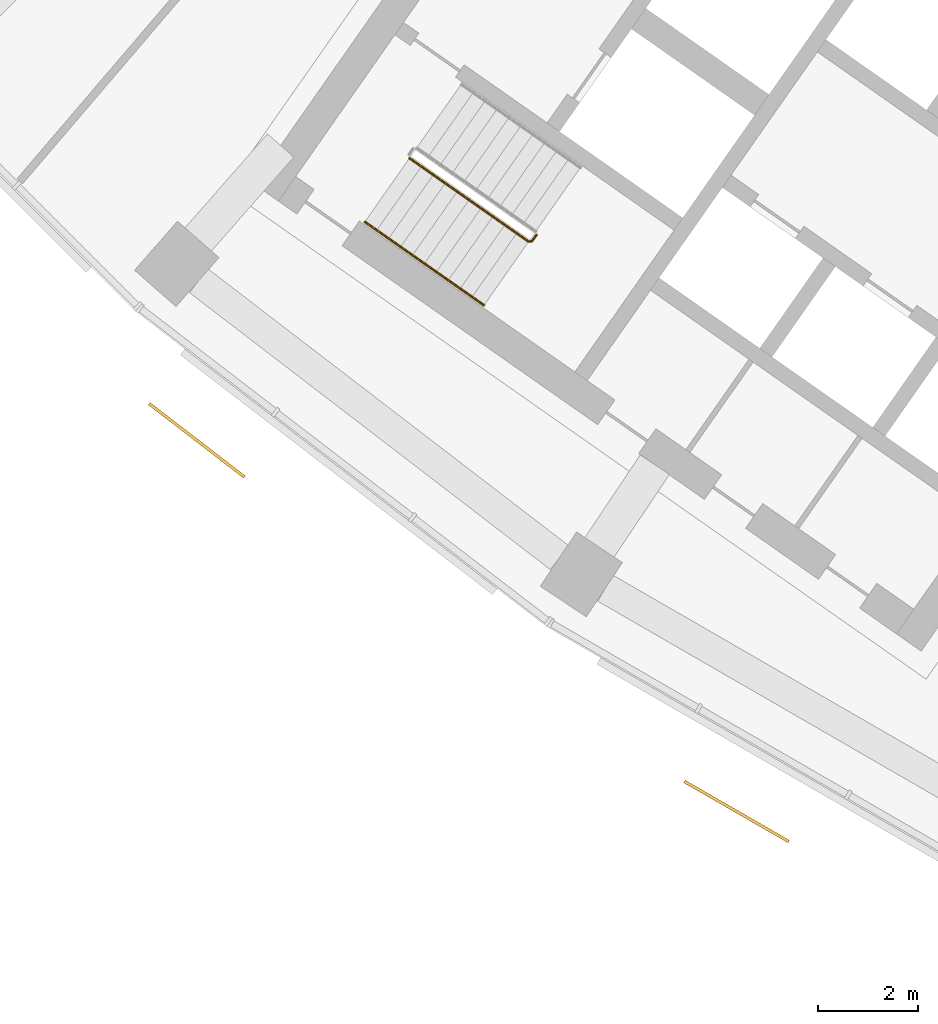
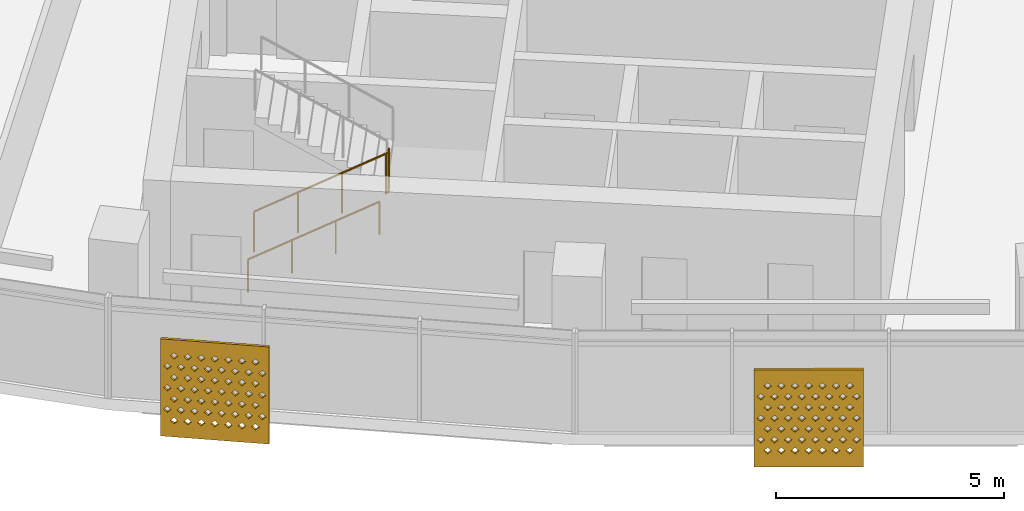
# One storey, part 21 of 27: 2 railings, 2 shading devices.
"""IFC4 building model written with IfcOpenShell, lengths in metres."""

import ifcopenshell
import ifcopenshell.guid

model = None  # the IFC model being written
_history = None  # IfcOwnerHistory: only IFC2X3 demands one
_inside = {}  # id of a spatial element -> (the spatial element, [elements in it])
_under = {}  # id of a project, library or spatial element -> (it, [spatial elements below it])
_declared = {}  # id of a project -> (the project, [libraries it declares])
_typed = {}  # id of a type object -> (the type object, [elements of that type])
_made_of = {}  # id of a material, layer set ... -> (it, [elements and type objects made of it])


def new_model(schema):
    """Start an empty IFC model of exactly this schema.

    Asked for "IFC4X3", IfcOpenShell would pick the latest addendum, in which some entities
    have other attributes; the version numbers below select the first issue.
    IFC2X3 requires an IfcOwnerHistory on every rooted entity: one is made here for all.
    """
    global model, _history
    if schema == "IFC4X3":
        model = ifcopenshell.file(schema_version=(4, 3, 0, 0))
    else:
        model = ifcopenshell.file(schema=schema)
    _inside.clear()
    _under.clear()
    _declared.clear()
    _typed.clear()
    _made_of.clear()
    _history = None
    if model.schema == "IFC2X3":
        org = make("IfcOrganization", Name="unknown")
        user = make(
            "IfcPersonAndOrganization",
            ThePerson=make("IfcPerson", FamilyName="unknown"),
            TheOrganization=org,
        )
        app = make(
            "IfcApplication",
            ApplicationDeveloper=org,
            Version="unknown",
            ApplicationFullName="unknown",
            ApplicationIdentifier="unknown",
        )
        _history = make(
            "IfcOwnerHistory",
            OwningUser=user,
            OwningApplication=app,
            ChangeAction="ADDED",
            CreationDate=0,
        )
    return model


def make(cls, **values):
    """One entity of the class cls with the attributes given. An attribute that is None is left unset."""
    return model.create_entity(
        cls, **{name: value for name, value in values.items() if value is not None}
    )


def rooted(cls, **values):
    """An entity with a GlobalId (a new one), such as an element, a storey or a relation."""
    return make(cls, GlobalId=ifcopenshell.guid.new(), OwnerHistory=_history, **values)


def si_unit(unit_type, name, prefix=None):
    """IfcSIUnit, for example si_unit("LENGTHUNIT", "METRE", prefix="MILLI")."""
    return make("IfcSIUnit", UnitType=unit_type, Prefix=prefix, Name=name)


def assignment(units):
    """IfcUnitAssignment: the units of a project."""
    return None if units is None else make("IfcUnitAssignment", Units=units)


def point(xyz):
    """IfcCartesianPoint."""
    return None if xyz is None else make("IfcCartesianPoint", Coordinates=xyz)


def direction(xyz):
    """IfcDirection."""
    return None if xyz is None else make("IfcDirection", DirectionRatios=xyz)


def frame(location, z_axis=None, x_axis=None):
    """IfcAxis2Placement3D, a coordinate frame: its origin and axes. An axis left out is left unset."""
    return make(
        "IfcAxis2Placement3D",
        Location=point(location),
        Axis=direction(z_axis),
        RefDirection=direction(x_axis),
    )


def frame_2d(location, x_axis=None):
    """IfcAxis2Placement2D, a coordinate frame in the plane: its origin and x axis."""
    return make(
        "IfcAxis2Placement2D", Location=point(location), RefDirection=direction(x_axis)
    )


def origin():
    """The frame at (0, 0, 0) with its axes left unset."""
    return frame((0.0, 0.0, 0.0))


def origin_2d():
    """The frame at (0, 0) in the plane with its x axis left unset."""
    return frame_2d((0.0, 0.0))


def place(relative_to, where):
    """IfcLocalPlacement: puts the frame where relative to a parent placement (None: the world)."""
    return make(
        "IfcLocalPlacement", PlacementRelTo=relative_to, RelativePlacement=where
    )


def context(
    kind, dimensions, precision=None, world=None, true_north=None, identifier=None
):
    """IfcGeometricRepresentationContext, for example the 3D "Model" context."""
    return make(
        "IfcGeometricRepresentationContext",
        ContextIdentifier=identifier,
        ContextType=kind,
        CoordinateSpaceDimension=dimensions,
        Precision=precision,
        WorldCoordinateSystem=world,
        TrueNorth=true_north,
    )


def subcontext(parent, identifier, kind, view, scale=None):
    """IfcGeometricRepresentationSubContext, for example "Body" below "Model"."""
    return make(
        "IfcGeometricRepresentationSubContext",
        ContextIdentifier=identifier,
        ContextType=kind,
        ParentContext=parent,
        TargetScale=scale,
        TargetView=view,
    )


def project(units=None, contexts=None):
    """IfcProject with its units and contexts."""
    return rooted(
        "IfcProject",
        Name="project",
        RepresentationContexts=contexts,
        UnitsInContext=assignment(units),
    )


def spatial(cls, under=None, at=None, **own):
    """A site, building, storey or space (cls), placed at a placement, below another one or the project."""
    s = rooted(cls, ObjectPlacement=at, **own)
    if under is not None:
        _under.setdefault(under.id(), (under, []))[1].append(s)
    return s


def polyline(points):
    """IfcPolyline through the points."""
    return make("IfcPolyline", Points=[point(p) for p in points])


def profile(cls, at=None, kind="AREA", **sizes):
    """A parametric profile (cls). Its sizes go by their IFC names, for example OverallWidth=200.0."""
    return make(cls, ProfileType=kind, Position=at, **sizes)


def circle(**sizes):
    """IfcCircleProfileDef."""
    return profile("IfcCircleProfileDef", **sizes)


def outline(outer, holes=None, kind="AREA"):
    """IfcArbitraryClosedProfileDef: a profile drawn as a closed curve; with holes, ...WithVoids."""
    if holes is None:
        return make("IfcArbitraryClosedProfileDef", ProfileType=kind, OuterCurve=outer)
    return make(
        "IfcArbitraryProfileDefWithVoids",
        ProfileType=kind,
        OuterCurve=outer,
        InnerCurves=holes,
    )


def extrude(swept, where, along, depth):
    """IfcExtrudedAreaSolid: the profile swept, set in the frame where, extruded along a direction by depth."""
    return make(
        "IfcExtrudedAreaSolid",
        SweptArea=swept,
        Position=where,
        ExtrudedDirection=direction(along),
        Depth=depth,
    )


def shape(context_of_items, identifier, shape_type, items):
    """IfcShapeRepresentation: the items that make up one representation, for example the "Body"."""
    return make(
        "IfcShapeRepresentation",
        ContextOfItems=context_of_items,
        RepresentationIdentifier=identifier,
        RepresentationType=shape_type,
        Items=items,
    )


def material(Name=None, Category=None):
    """IfcMaterial."""
    return make("IfcMaterial", Name=Name, Category=Category)


def material_profile(
    of_material, cross_section, Name=None, Category=None, Priority=None
):
    """IfcMaterialProfile: a cross section and its material."""
    return make(
        "IfcMaterialProfile",
        Name=Name,
        Material=of_material,
        Profile=cross_section,
        Priority=Priority,
        Category=Category,
    )


def profile_set(profiles, Name=None, composite=None):
    """IfcMaterialProfileSet."""
    return make(
        "IfcMaterialProfileSet",
        Name=Name,
        MaterialProfiles=profiles,
        CompositeProfile=composite,
    )


def made_of(thing, what):
    """Note that an element or type object is made of a material, layer set ...; save() writes the relation."""
    if what is not None:
        _made_of.setdefault(what.id(), (what, []))[1].append(thing)
    return thing


def type_object(cls, material=None, **own):
    """A type object (cls), such as IfcWallType, which elements share."""
    return made_of(rooted(cls, **own), material)


def element(
    cls,
    number,
    at=None,
    inside=None,
    cuts=None,
    type_object=None,
    material=None,
    context=None,
    identifier="Body",
    shape_type=None,
    held_by="IfcProductDefinitionShape",
    body=None,
    shapes=None,
    **own,
):
    """One element of the class cls, such as IfcWall. Its Tag is "e" and its number.

    at: its placement. inside: the storey or other place that contains it. cuts: it is an
    opening in that element (IfcRelVoidsElement). A single representation is given by context,
    identifier, shape_type and body (its items); several are given by shapes. held_by: the class
    of the entity that holds the representations. save() writes the other relations.
    """
    e = rooted(cls, Tag="e%d" % number, ObjectPlacement=at, **own)
    if body is not None:
        shapes = [shape(context, identifier, shape_type, body)]
    if shapes is not None:
        e.Representation = make(held_by, Representations=shapes)
    if inside is not None:
        _inside.setdefault(inside.id(), (inside, []))[1].append(e)
    if cuts is not None:
        rooted(
            "IfcRelVoidsElement", RelatingBuildingElement=cuts, RelatedOpeningElement=e
        )
    if type_object is not None:
        _typed.setdefault(type_object.id(), (type_object, []))[1].append(e)
    return made_of(e, material)


def aggregate(whole, parts):
    """IfcRelAggregates: a whole, such as a stair, and the parts it consists of."""
    return rooted("IfcRelAggregates", RelatingObject=whole, RelatedObjects=parts)


def save(model, path):
    """Write the relations noted so far, then the file.

    IfcRelAggregates (storeys below a building ...), IfcRelContainedInSpatialStructure (elements
    in a storey), IfcRelDefinesByType, IfcRelAssociatesMaterial and IfcRelDeclares: one each for
    every whole, place, type object, material and project.
    """
    for whole, parts in _under.values():
        aggregate(whole, parts)
    for where, things in _inside.values():
        rooted(
            "IfcRelContainedInSpatialStructure",
            RelatedElements=things,
            RelatingStructure=where,
        )
    for kind, things in _typed.values():
        rooted("IfcRelDefinesByType", RelatedObjects=things, RelatingType=kind)
    for what, things in _made_of.values():
        rooted("IfcRelAssociatesMaterial", RelatedObjects=things, RelatingMaterial=what)
    for by, libraries in _declared.values():
        rooted("IfcRelDeclares", RelatingContext=by, RelatedDefinitions=libraries)
    model.write(path)


model = new_model("IFC4")

# Units and contexts
model_context = context("Model", 3, precision=1e-05, world=origin(), true_north=direction((0.0, 1.0)))
body_context = subcontext(model_context, "Body", "Model", "MODEL_VIEW")
ifc_project = project(units=[si_unit("LENGTHUNIT", "METRE"), si_unit("AREAUNIT", "SQUARE_METRE"), si_unit("VOLUMEUNIT", "CUBIC_METRE"), si_unit("PLANEANGLEUNIT", "RADIAN"), si_unit("MASSUNIT", "GRAM", prefix="KILO")], contexts=[model_context])

# Site, building, storey
site_placement = place(None, origin())
site = spatial("IfcSite", under=ifc_project, at=site_placement, CompositionType="ELEMENT")
building_placement = place(site_placement, origin())
building = spatial("IfcBuilding", under=site, at=building_placement, Name="Qamariyya Broadcast Tower", CompositionType="ELEMENT")
storey_placement = place(building_placement, frame((0.0, 0.0, 153.10009765625)))
storey = spatial("IfcBuildingStorey", under=building, at=storey_placement, Name="L35", CompositionType="ELEMENT", Elevation=153.10009765625)

# Shading devices
ifc_material_1 = material(Name="Perforated glazed terracotta", Category="masonry")
ifc_material_profile = material_profile(ifc_material_1, outline(polyline([(-1.199951171875, -1.300048828125), (1.199951171875, -1.300048828125), (1.199951171875, 1.300048828125), (-1.199951171875, 1.300048828125), (-1.199951171875, -1.300048828125)]), holes=[polyline([(-0.81494140625, -0.86669921875), (-0.89990234375, -0.78173828125), (-0.985107421875, -0.86669921875), (-0.89990234375, -0.95166015625), (-0.81494140625, -0.86669921875)]), polyline([(-0.514892578125, -0.86669921875), (-0.60009765625, -0.78173828125), (-0.68505859375, -0.86669921875), (-0.60009765625, -0.95166015625), (-0.514892578125, -0.86669921875)]), polyline([(-0.215087890625, -0.86669921875), (-0.300048828125, -0.78173828125), (-0.385009765625, -0.86669921875), (-0.300048828125, -0.95166015625), (-0.215087890625, -0.86669921875)]), polyline([(0.0849609375, -0.86669921875), (0.0, -0.78173828125), (-0.0849609375, -0.86669921875), (0.0, -0.95166015625), (0.0849609375, -0.86669921875)]), polyline([(0.385009765625, -0.86669921875), (0.300048828125, -0.78173828125), (0.215087890625, -0.86669921875), (0.300048828125, -0.95166015625), (0.385009765625, -0.86669921875)]), polyline([(0.68505859375, -0.86669921875), (0.60009765625, -0.78173828125), (0.514892578125, -0.86669921875), (0.60009765625, -0.95166015625), (0.68505859375, -0.86669921875)]), polyline([(0.985107421875, -0.86669921875), (0.89990234375, -0.78173828125), (0.81494140625, -0.86669921875), (0.89990234375, -0.95166015625), (0.985107421875, -0.86669921875)]), polyline([(-0.965087890625, -0.577880859375), (-1.050048828125, -0.49267578125), (-1.135009765625, -0.577880859375), (-1.050048828125, -0.662841796875), (-0.965087890625, -0.577880859375)]), polyline([(-0.6650390625, -0.577880859375), (-0.75, -0.49267578125), (-0.8349609375, -0.577880859375), (-0.75, -0.662841796875), (-0.6650390625, -0.577880859375)]), polyline([(-0.364990234375, -0.577880859375), (-0.449951171875, -0.49267578125), (-0.534912109375, -0.577880859375), (-0.449951171875, -0.662841796875), (-0.364990234375, -0.577880859375)]), polyline([(-0.06494140625, -0.577880859375), (-0.14990234375, -0.49267578125), (-0.235107421875, -0.577880859375), (-0.14990234375, -0.662841796875), (-0.06494140625, -0.577880859375)]), polyline([(0.235107421875, -0.577880859375), (0.14990234375, -0.49267578125), (0.06494140625, -0.577880859375), (0.14990234375, -0.662841796875), (0.235107421875, -0.577880859375)]), polyline([(0.534912109375, -0.577880859375), (0.449951171875, -0.49267578125), (0.364990234375, -0.577880859375), (0.449951171875, -0.662841796875), (0.534912109375, -0.577880859375)]), polyline([(0.8349609375, -0.577880859375), (0.75, -0.49267578125), (0.6650390625, -0.577880859375), (0.75, -0.662841796875), (0.8349609375, -0.577880859375)]), polyline([(1.135009765625, -0.577880859375), (1.050048828125, -0.49267578125), (0.965087890625, -0.577880859375), (1.050048828125, -0.662841796875), (1.135009765625, -0.577880859375)]), polyline([(-0.81494140625, -0.288818359375), (-0.89990234375, -0.203857421875), (-0.985107421875, -0.288818359375), (-0.89990234375, -0.373779296875), (-0.81494140625, -0.288818359375)]), polyline([(-0.514892578125, -0.288818359375), (-0.60009765625, -0.203857421875), (-0.68505859375, -0.288818359375), (-0.60009765625, -0.373779296875), (-0.514892578125, -0.288818359375)]), polyline([(-0.215087890625, -0.288818359375), (-0.300048828125, -0.203857421875), (-0.385009765625, -0.288818359375), (-0.300048828125, -0.373779296875), (-0.215087890625, -0.288818359375)]), polyline([(0.0849609375, -0.288818359375), (0.0, -0.203857421875), (-0.0849609375, -0.288818359375), (0.0, -0.373779296875), (0.0849609375, -0.288818359375)]), polyline([(0.385009765625, -0.288818359375), (0.300048828125, -0.203857421875), (0.215087890625, -0.288818359375), (0.300048828125, -0.373779296875), (0.385009765625, -0.288818359375)]), polyline([(0.68505859375, -0.288818359375), (0.60009765625, -0.203857421875), (0.514892578125, -0.288818359375), (0.60009765625, -0.373779296875), (0.68505859375, -0.288818359375)]), polyline([(0.985107421875, -0.288818359375), (0.89990234375, -0.203857421875), (0.81494140625, -0.288818359375), (0.89990234375, -0.373779296875), (0.985107421875, -0.288818359375)]), polyline([(-0.965087890625, 0.0), (-1.050048828125, 0.0849609375), (-1.135009765625, 0.0), (-1.050048828125, -0.0849609375), (-0.965087890625, 0.0)]), polyline([(-0.6650390625, 0.0), (-0.75, 0.0849609375), (-0.8349609375, 0.0), (-0.75, -0.0849609375), (-0.6650390625, 0.0)]), polyline([(-0.364990234375, 0.0), (-0.449951171875, 0.0849609375), (-0.534912109375, 0.0), (-0.449951171875, -0.0849609375), (-0.364990234375, 0.0)]), polyline([(-0.06494140625, 0.0), (-0.14990234375, 0.0849609375), (-0.235107421875, 0.0), (-0.14990234375, -0.0849609375), (-0.06494140625, 0.0)]), polyline([(0.235107421875, 0.0), (0.14990234375, 0.0849609375), (0.06494140625, 0.0), (0.14990234375, -0.0849609375), (0.235107421875, 0.0)]), polyline([(0.534912109375, 0.0), (0.449951171875, 0.0849609375), (0.364990234375, 0.0), (0.449951171875, -0.0849609375), (0.534912109375, 0.0)]), polyline([(0.8349609375, 0.0), (0.75, 0.0849609375), (0.6650390625, 0.0), (0.75, -0.0849609375), (0.8349609375, 0.0)]), polyline([(1.135009765625, 0.0), (1.050048828125, 0.0849609375), (0.965087890625, 0.0), (1.050048828125, -0.0849609375), (1.135009765625, 0.0)]), polyline([(-0.81494140625, 0.288818359375), (-0.89990234375, 0.373779296875), (-0.985107421875, 0.288818359375), (-0.89990234375, 0.203857421875), (-0.81494140625, 0.288818359375)]), polyline([(-0.514892578125, 0.288818359375), (-0.60009765625, 0.373779296875), (-0.68505859375, 0.288818359375), (-0.60009765625, 0.203857421875), (-0.514892578125, 0.288818359375)]), polyline([(-0.215087890625, 0.288818359375), (-0.300048828125, 0.373779296875), (-0.385009765625, 0.288818359375), (-0.300048828125, 0.203857421875), (-0.215087890625, 0.288818359375)]), polyline([(0.0849609375, 0.288818359375), (0.0, 0.373779296875), (-0.0849609375, 0.288818359375), (0.0, 0.203857421875), (0.0849609375, 0.288818359375)]), polyline([(0.385009765625, 0.288818359375), (0.300048828125, 0.373779296875), (0.215087890625, 0.288818359375), (0.300048828125, 0.203857421875), (0.385009765625, 0.288818359375)]), polyline([(0.68505859375, 0.288818359375), (0.60009765625, 0.373779296875), (0.514892578125, 0.288818359375), (0.60009765625, 0.203857421875), (0.68505859375, 0.288818359375)]), polyline([(0.985107421875, 0.288818359375), (0.89990234375, 0.373779296875), (0.81494140625, 0.288818359375), (0.89990234375, 0.203857421875), (0.985107421875, 0.288818359375)]), polyline([(-0.965087890625, 0.577880859375), (-1.050048828125, 0.662841796875), (-1.135009765625, 0.577880859375), (-1.050048828125, 0.49267578125), (-0.965087890625, 0.577880859375)]), polyline([(-0.6650390625, 0.577880859375), (-0.75, 0.662841796875), (-0.8349609375, 0.577880859375), (-0.75, 0.49267578125), (-0.6650390625, 0.577880859375)]), polyline([(-0.364990234375, 0.577880859375), (-0.449951171875, 0.662841796875), (-0.534912109375, 0.577880859375), (-0.449951171875, 0.49267578125), (-0.364990234375, 0.577880859375)]), polyline([(-0.06494140625, 0.577880859375), (-0.14990234375, 0.662841796875), (-0.235107421875, 0.577880859375), (-0.14990234375, 0.49267578125), (-0.06494140625, 0.577880859375)]), polyline([(0.235107421875, 0.577880859375), (0.14990234375, 0.662841796875), (0.06494140625, 0.577880859375), (0.14990234375, 0.49267578125), (0.235107421875, 0.577880859375)]), polyline([(0.534912109375, 0.577880859375), (0.449951171875, 0.662841796875), (0.364990234375, 0.577880859375), (0.449951171875, 0.49267578125), (0.534912109375, 0.577880859375)]), polyline([(0.8349609375, 0.577880859375), (0.75, 0.662841796875), (0.6650390625, 0.577880859375), (0.75, 0.49267578125), (0.8349609375, 0.577880859375)]), polyline([(1.135009765625, 0.577880859375), (1.050048828125, 0.662841796875), (0.965087890625, 0.577880859375), (1.050048828125, 0.49267578125), (1.135009765625, 0.577880859375)]), polyline([(-0.81494140625, 0.86669921875), (-0.89990234375, 0.95166015625), (-0.985107421875, 0.86669921875), (-0.89990234375, 0.78173828125), (-0.81494140625, 0.86669921875)]), polyline([(-0.514892578125, 0.86669921875), (-0.60009765625, 0.95166015625), (-0.68505859375, 0.86669921875), (-0.60009765625, 0.78173828125), (-0.514892578125, 0.86669921875)]), polyline([(-0.215087890625, 0.86669921875), (-0.300048828125, 0.95166015625), (-0.385009765625, 0.86669921875), (-0.300048828125, 0.78173828125), (-0.215087890625, 0.86669921875)]), polyline([(0.0849609375, 0.86669921875), (0.0, 0.95166015625), (-0.0849609375, 0.86669921875), (0.0, 0.78173828125), (0.0849609375, 0.86669921875)]), polyline([(0.385009765625, 0.86669921875), (0.300048828125, 0.95166015625), (0.215087890625, 0.86669921875), (0.300048828125, 0.78173828125), (0.385009765625, 0.86669921875)]), polyline([(0.68505859375, 0.86669921875), (0.60009765625, 0.95166015625), (0.514892578125, 0.86669921875), (0.60009765625, 0.78173828125), (0.68505859375, 0.86669921875)]), polyline([(0.985107421875, 0.86669921875), (0.89990234375, 0.95166015625), (0.81494140625, 0.86669921875), (0.89990234375, 0.78173828125), (0.985107421875, 0.86669921875)])]))
ifc_profile_set = profile_set([ifc_material_profile], Name="Perforated glazed terracotta")
shading_device_type = type_object("IfcShadingDeviceType", Name="Perforated terracotta screen 2400 x 2600", PredefinedType="USERDEFINED", material=ifc_profile_set)
shading_device_1_placement = place(storey_placement, frame((-50.844970703125, -61.9501953125, 1.349853515625), z_axis=(-0.60971076085, -0.792623989105, 0.0), x_axis=(0.792623989105, -0.60971076085, 0.0)))
element("IfcShadingDevice", 1, at=shading_device_1_placement, inside=storey, type_object=shading_device_type, Name="e-scr-L35-02-0", ObjectType="SCREEN", PredefinedType="USERDEFINED", context=body_context, shape_type="SweptSolid", body=[
    extrude(outline(polyline([(-1.199951171875, -1.300048828125), (1.199951171875, -1.300048828125), (1.199951171875, 1.300048828125), (-1.199951171875, 1.300048828125), (-1.199951171875, -1.300048828125)]), holes=[polyline([(-0.81494140625, -0.86669921875), (-0.89990234375, -0.78173828125), (-0.985107421875, -0.86669921875), (-0.89990234375, -0.95166015625), (-0.81494140625, -0.86669921875)]), polyline([(-0.514892578125, -0.86669921875), (-0.60009765625, -0.78173828125), (-0.68505859375, -0.86669921875), (-0.60009765625, -0.95166015625), (-0.514892578125, -0.86669921875)]), polyline([(-0.215087890625, -0.86669921875), (-0.300048828125, -0.78173828125), (-0.385009765625, -0.86669921875), (-0.300048828125, -0.95166015625), (-0.215087890625, -0.86669921875)]), polyline([(0.0849609375, -0.86669921875), (0.0, -0.78173828125), (-0.0849609375, -0.86669921875), (0.0, -0.95166015625), (0.0849609375, -0.86669921875)]), polyline([(0.385009765625, -0.86669921875), (0.300048828125, -0.78173828125), (0.215087890625, -0.86669921875), (0.300048828125, -0.95166015625), (0.385009765625, -0.86669921875)]), polyline([(0.68505859375, -0.86669921875), (0.60009765625, -0.78173828125), (0.514892578125, -0.86669921875), (0.60009765625, -0.95166015625), (0.68505859375, -0.86669921875)]), polyline([(0.985107421875, -0.86669921875), (0.89990234375, -0.78173828125), (0.81494140625, -0.86669921875), (0.89990234375, -0.95166015625), (0.985107421875, -0.86669921875)]), polyline([(-0.965087890625, -0.577880859375), (-1.050048828125, -0.49267578125), (-1.135009765625, -0.577880859375), (-1.050048828125, -0.662841796875), (-0.965087890625, -0.577880859375)]), polyline([(-0.6650390625, -0.577880859375), (-0.75, -0.49267578125), (-0.8349609375, -0.577880859375), (-0.75, -0.662841796875), (-0.6650390625, -0.577880859375)]), polyline([(-0.364990234375, -0.577880859375), (-0.449951171875, -0.49267578125), (-0.534912109375, -0.577880859375), (-0.449951171875, -0.662841796875), (-0.364990234375, -0.577880859375)]), polyline([(-0.06494140625, -0.577880859375), (-0.14990234375, -0.49267578125), (-0.235107421875, -0.577880859375), (-0.14990234375, -0.662841796875), (-0.06494140625, -0.577880859375)]), polyline([(0.235107421875, -0.577880859375), (0.14990234375, -0.49267578125), (0.06494140625, -0.577880859375), (0.14990234375, -0.662841796875), (0.235107421875, -0.577880859375)]), polyline([(0.534912109375, -0.577880859375), (0.449951171875, -0.49267578125), (0.364990234375, -0.577880859375), (0.449951171875, -0.662841796875), (0.534912109375, -0.577880859375)]), polyline([(0.8349609375, -0.577880859375), (0.75, -0.49267578125), (0.6650390625, -0.577880859375), (0.75, -0.662841796875), (0.8349609375, -0.577880859375)]), polyline([(1.135009765625, -0.577880859375), (1.050048828125, -0.49267578125), (0.965087890625, -0.577880859375), (1.050048828125, -0.662841796875), (1.135009765625, -0.577880859375)]), polyline([(-0.81494140625, -0.288818359375), (-0.89990234375, -0.203857421875), (-0.985107421875, -0.288818359375), (-0.89990234375, -0.373779296875), (-0.81494140625, -0.288818359375)]), polyline([(-0.514892578125, -0.288818359375), (-0.60009765625, -0.203857421875), (-0.68505859375, -0.288818359375), (-0.60009765625, -0.373779296875), (-0.514892578125, -0.288818359375)]), polyline([(-0.215087890625, -0.288818359375), (-0.300048828125, -0.203857421875), (-0.385009765625, -0.288818359375), (-0.300048828125, -0.373779296875), (-0.215087890625, -0.288818359375)]), polyline([(0.0849609375, -0.288818359375), (0.0, -0.203857421875), (-0.0849609375, -0.288818359375), (0.0, -0.373779296875), (0.0849609375, -0.288818359375)]), polyline([(0.385009765625, -0.288818359375), (0.300048828125, -0.203857421875), (0.215087890625, -0.288818359375), (0.300048828125, -0.373779296875), (0.385009765625, -0.288818359375)]), polyline([(0.68505859375, -0.288818359375), (0.60009765625, -0.203857421875), (0.514892578125, -0.288818359375), (0.60009765625, -0.373779296875), (0.68505859375, -0.288818359375)]), polyline([(0.985107421875, -0.288818359375), (0.89990234375, -0.203857421875), (0.81494140625, -0.288818359375), (0.89990234375, -0.373779296875), (0.985107421875, -0.288818359375)]), polyline([(-0.965087890625, 0.0), (-1.050048828125, 0.0849609375), (-1.135009765625, 0.0), (-1.050048828125, -0.0849609375), (-0.965087890625, 0.0)]), polyline([(-0.6650390625, 0.0), (-0.75, 0.0849609375), (-0.8349609375, 0.0), (-0.75, -0.0849609375), (-0.6650390625, 0.0)]), polyline([(-0.364990234375, 0.0), (-0.449951171875, 0.0849609375), (-0.534912109375, 0.0), (-0.449951171875, -0.0849609375), (-0.364990234375, 0.0)]), polyline([(-0.06494140625, 0.0), (-0.14990234375, 0.0849609375), (-0.235107421875, 0.0), (-0.14990234375, -0.0849609375), (-0.06494140625, 0.0)]), polyline([(0.235107421875, 0.0), (0.14990234375, 0.0849609375), (0.06494140625, 0.0), (0.14990234375, -0.0849609375), (0.235107421875, 0.0)]), polyline([(0.534912109375, 0.0), (0.449951171875, 0.0849609375), (0.364990234375, 0.0), (0.449951171875, -0.0849609375), (0.534912109375, 0.0)]), polyline([(0.8349609375, 0.0), (0.75, 0.0849609375), (0.6650390625, 0.0), (0.75, -0.0849609375), (0.8349609375, 0.0)]), polyline([(1.135009765625, 0.0), (1.050048828125, 0.0849609375), (0.965087890625, 0.0), (1.050048828125, -0.0849609375), (1.135009765625, 0.0)]), polyline([(-0.81494140625, 0.288818359375), (-0.89990234375, 0.373779296875), (-0.985107421875, 0.288818359375), (-0.89990234375, 0.203857421875), (-0.81494140625, 0.288818359375)]), polyline([(-0.514892578125, 0.288818359375), (-0.60009765625, 0.373779296875), (-0.68505859375, 0.288818359375), (-0.60009765625, 0.203857421875), (-0.514892578125, 0.288818359375)]), polyline([(-0.215087890625, 0.288818359375), (-0.300048828125, 0.373779296875), (-0.385009765625, 0.288818359375), (-0.300048828125, 0.203857421875), (-0.215087890625, 0.288818359375)]), polyline([(0.0849609375, 0.288818359375), (0.0, 0.373779296875), (-0.0849609375, 0.288818359375), (0.0, 0.203857421875), (0.0849609375, 0.288818359375)]), polyline([(0.385009765625, 0.288818359375), (0.300048828125, 0.373779296875), (0.215087890625, 0.288818359375), (0.300048828125, 0.203857421875), (0.385009765625, 0.288818359375)]), polyline([(0.68505859375, 0.288818359375), (0.60009765625, 0.373779296875), (0.514892578125, 0.288818359375), (0.60009765625, 0.203857421875), (0.68505859375, 0.288818359375)]), polyline([(0.985107421875, 0.288818359375), (0.89990234375, 0.373779296875), (0.81494140625, 0.288818359375), (0.89990234375, 0.203857421875), (0.985107421875, 0.288818359375)]), polyline([(-0.965087890625, 0.577880859375), (-1.050048828125, 0.662841796875), (-1.135009765625, 0.577880859375), (-1.050048828125, 0.49267578125), (-0.965087890625, 0.577880859375)]), polyline([(-0.6650390625, 0.577880859375), (-0.75, 0.662841796875), (-0.8349609375, 0.577880859375), (-0.75, 0.49267578125), (-0.6650390625, 0.577880859375)]), polyline([(-0.364990234375, 0.577880859375), (-0.449951171875, 0.662841796875), (-0.534912109375, 0.577880859375), (-0.449951171875, 0.49267578125), (-0.364990234375, 0.577880859375)]), polyline([(-0.06494140625, 0.577880859375), (-0.14990234375, 0.662841796875), (-0.235107421875, 0.577880859375), (-0.14990234375, 0.49267578125), (-0.06494140625, 0.577880859375)]), polyline([(0.235107421875, 0.577880859375), (0.14990234375, 0.662841796875), (0.06494140625, 0.577880859375), (0.14990234375, 0.49267578125), (0.235107421875, 0.577880859375)]), polyline([(0.534912109375, 0.577880859375), (0.449951171875, 0.662841796875), (0.364990234375, 0.577880859375), (0.449951171875, 0.49267578125), (0.534912109375, 0.577880859375)]), polyline([(0.8349609375, 0.577880859375), (0.75, 0.662841796875), (0.6650390625, 0.577880859375), (0.75, 0.49267578125), (0.8349609375, 0.577880859375)]), polyline([(1.135009765625, 0.577880859375), (1.050048828125, 0.662841796875), (0.965087890625, 0.577880859375), (1.050048828125, 0.49267578125), (1.135009765625, 0.577880859375)]), polyline([(-0.81494140625, 0.86669921875), (-0.89990234375, 0.95166015625), (-0.985107421875, 0.86669921875), (-0.89990234375, 0.78173828125), (-0.81494140625, 0.86669921875)]), polyline([(-0.514892578125, 0.86669921875), (-0.60009765625, 0.95166015625), (-0.68505859375, 0.86669921875), (-0.60009765625, 0.78173828125), (-0.514892578125, 0.86669921875)]), polyline([(-0.215087890625, 0.86669921875), (-0.300048828125, 0.95166015625), (-0.385009765625, 0.86669921875), (-0.300048828125, 0.78173828125), (-0.215087890625, 0.86669921875)]), polyline([(0.0849609375, 0.86669921875), (0.0, 0.95166015625), (-0.0849609375, 0.86669921875), (0.0, 0.78173828125), (0.0849609375, 0.86669921875)]), polyline([(0.385009765625, 0.86669921875), (0.300048828125, 0.95166015625), (0.215087890625, 0.86669921875), (0.300048828125, 0.78173828125), (0.385009765625, 0.86669921875)]), polyline([(0.68505859375, 0.86669921875), (0.60009765625, 0.95166015625), (0.514892578125, 0.86669921875), (0.60009765625, 0.78173828125), (0.68505859375, 0.86669921875)]), polyline([(0.985107421875, 0.86669921875), (0.89990234375, 0.95166015625), (0.81494140625, 0.86669921875), (0.89990234375, 0.78173828125), (0.985107421875, 0.86669921875)])]), origin(), (0.0, 0.0, 1.0), 0.06005859375),
])
shading_device_2_placement = place(storey_placement, frame((-40.086669921875, -69.3486328125, 1.349853515625), z_axis=(-0.498778343083, -0.866729579783, 0.0), x_axis=(0.866729579783, -0.498778343083, 0.0)))
element("IfcShadingDevice", 2, at=shading_device_2_placement, inside=storey, type_object=shading_device_type, Name="e-scr-L35-03-1", ObjectType="SCREEN", PredefinedType="USERDEFINED", context=body_context, shape_type="SweptSolid", body=[
    extrude(outline(polyline([(-1.199951171875, -1.300048828125), (1.199951171875, -1.300048828125), (1.199951171875, 1.300048828125), (-1.199951171875, 1.300048828125), (-1.199951171875, -1.300048828125)]), holes=[polyline([(-0.81494140625, -0.86669921875), (-0.89990234375, -0.78173828125), (-0.985107421875, -0.86669921875), (-0.89990234375, -0.95166015625), (-0.81494140625, -0.86669921875)]), polyline([(-0.514892578125, -0.86669921875), (-0.60009765625, -0.78173828125), (-0.68505859375, -0.86669921875), (-0.60009765625, -0.95166015625), (-0.514892578125, -0.86669921875)]), polyline([(-0.215087890625, -0.86669921875), (-0.300048828125, -0.78173828125), (-0.385009765625, -0.86669921875), (-0.300048828125, -0.95166015625), (-0.215087890625, -0.86669921875)]), polyline([(0.0849609375, -0.86669921875), (0.0, -0.78173828125), (-0.0849609375, -0.86669921875), (0.0, -0.95166015625), (0.0849609375, -0.86669921875)]), polyline([(0.385009765625, -0.86669921875), (0.300048828125, -0.78173828125), (0.215087890625, -0.86669921875), (0.300048828125, -0.95166015625), (0.385009765625, -0.86669921875)]), polyline([(0.68505859375, -0.86669921875), (0.60009765625, -0.78173828125), (0.514892578125, -0.86669921875), (0.60009765625, -0.95166015625), (0.68505859375, -0.86669921875)]), polyline([(0.985107421875, -0.86669921875), (0.89990234375, -0.78173828125), (0.81494140625, -0.86669921875), (0.89990234375, -0.95166015625), (0.985107421875, -0.86669921875)]), polyline([(-0.965087890625, -0.577880859375), (-1.050048828125, -0.49267578125), (-1.135009765625, -0.577880859375), (-1.050048828125, -0.662841796875), (-0.965087890625, -0.577880859375)]), polyline([(-0.6650390625, -0.577880859375), (-0.75, -0.49267578125), (-0.8349609375, -0.577880859375), (-0.75, -0.662841796875), (-0.6650390625, -0.577880859375)]), polyline([(-0.364990234375, -0.577880859375), (-0.449951171875, -0.49267578125), (-0.534912109375, -0.577880859375), (-0.449951171875, -0.662841796875), (-0.364990234375, -0.577880859375)]), polyline([(-0.06494140625, -0.577880859375), (-0.14990234375, -0.49267578125), (-0.235107421875, -0.577880859375), (-0.14990234375, -0.662841796875), (-0.06494140625, -0.577880859375)]), polyline([(0.235107421875, -0.577880859375), (0.14990234375, -0.49267578125), (0.06494140625, -0.577880859375), (0.14990234375, -0.662841796875), (0.235107421875, -0.577880859375)]), polyline([(0.534912109375, -0.577880859375), (0.449951171875, -0.49267578125), (0.364990234375, -0.577880859375), (0.449951171875, -0.662841796875), (0.534912109375, -0.577880859375)]), polyline([(0.8349609375, -0.577880859375), (0.75, -0.49267578125), (0.6650390625, -0.577880859375), (0.75, -0.662841796875), (0.8349609375, -0.577880859375)]), polyline([(1.135009765625, -0.577880859375), (1.050048828125, -0.49267578125), (0.965087890625, -0.577880859375), (1.050048828125, -0.662841796875), (1.135009765625, -0.577880859375)]), polyline([(-0.81494140625, -0.288818359375), (-0.89990234375, -0.203857421875), (-0.985107421875, -0.288818359375), (-0.89990234375, -0.373779296875), (-0.81494140625, -0.288818359375)]), polyline([(-0.514892578125, -0.288818359375), (-0.60009765625, -0.203857421875), (-0.68505859375, -0.288818359375), (-0.60009765625, -0.373779296875), (-0.514892578125, -0.288818359375)]), polyline([(-0.215087890625, -0.288818359375), (-0.300048828125, -0.203857421875), (-0.385009765625, -0.288818359375), (-0.300048828125, -0.373779296875), (-0.215087890625, -0.288818359375)]), polyline([(0.0849609375, -0.288818359375), (0.0, -0.203857421875), (-0.0849609375, -0.288818359375), (0.0, -0.373779296875), (0.0849609375, -0.288818359375)]), polyline([(0.385009765625, -0.288818359375), (0.300048828125, -0.203857421875), (0.215087890625, -0.288818359375), (0.300048828125, -0.373779296875), (0.385009765625, -0.288818359375)]), polyline([(0.68505859375, -0.288818359375), (0.60009765625, -0.203857421875), (0.514892578125, -0.288818359375), (0.60009765625, -0.373779296875), (0.68505859375, -0.288818359375)]), polyline([(0.985107421875, -0.288818359375), (0.89990234375, -0.203857421875), (0.81494140625, -0.288818359375), (0.89990234375, -0.373779296875), (0.985107421875, -0.288818359375)]), polyline([(-0.965087890625, 0.0), (-1.050048828125, 0.0849609375), (-1.135009765625, 0.0), (-1.050048828125, -0.0849609375), (-0.965087890625, 0.0)]), polyline([(-0.6650390625, 0.0), (-0.75, 0.0849609375), (-0.8349609375, 0.0), (-0.75, -0.0849609375), (-0.6650390625, 0.0)]), polyline([(-0.364990234375, 0.0), (-0.449951171875, 0.0849609375), (-0.534912109375, 0.0), (-0.449951171875, -0.0849609375), (-0.364990234375, 0.0)]), polyline([(-0.06494140625, 0.0), (-0.14990234375, 0.0849609375), (-0.235107421875, 0.0), (-0.14990234375, -0.0849609375), (-0.06494140625, 0.0)]), polyline([(0.235107421875, 0.0), (0.14990234375, 0.0849609375), (0.06494140625, 0.0), (0.14990234375, -0.0849609375), (0.235107421875, 0.0)]), polyline([(0.534912109375, 0.0), (0.449951171875, 0.0849609375), (0.364990234375, 0.0), (0.449951171875, -0.0849609375), (0.534912109375, 0.0)]), polyline([(0.8349609375, 0.0), (0.75, 0.0849609375), (0.6650390625, 0.0), (0.75, -0.0849609375), (0.8349609375, 0.0)]), polyline([(1.135009765625, 0.0), (1.050048828125, 0.0849609375), (0.965087890625, 0.0), (1.050048828125, -0.0849609375), (1.135009765625, 0.0)]), polyline([(-0.81494140625, 0.288818359375), (-0.89990234375, 0.373779296875), (-0.985107421875, 0.288818359375), (-0.89990234375, 0.203857421875), (-0.81494140625, 0.288818359375)]), polyline([(-0.514892578125, 0.288818359375), (-0.60009765625, 0.373779296875), (-0.68505859375, 0.288818359375), (-0.60009765625, 0.203857421875), (-0.514892578125, 0.288818359375)]), polyline([(-0.215087890625, 0.288818359375), (-0.300048828125, 0.373779296875), (-0.385009765625, 0.288818359375), (-0.300048828125, 0.203857421875), (-0.215087890625, 0.288818359375)]), polyline([(0.0849609375, 0.288818359375), (0.0, 0.373779296875), (-0.0849609375, 0.288818359375), (0.0, 0.203857421875), (0.0849609375, 0.288818359375)]), polyline([(0.385009765625, 0.288818359375), (0.300048828125, 0.373779296875), (0.215087890625, 0.288818359375), (0.300048828125, 0.203857421875), (0.385009765625, 0.288818359375)]), polyline([(0.68505859375, 0.288818359375), (0.60009765625, 0.373779296875), (0.514892578125, 0.288818359375), (0.60009765625, 0.203857421875), (0.68505859375, 0.288818359375)]), polyline([(0.985107421875, 0.288818359375), (0.89990234375, 0.373779296875), (0.81494140625, 0.288818359375), (0.89990234375, 0.203857421875), (0.985107421875, 0.288818359375)]), polyline([(-0.965087890625, 0.577880859375), (-1.050048828125, 0.662841796875), (-1.135009765625, 0.577880859375), (-1.050048828125, 0.49267578125), (-0.965087890625, 0.577880859375)]), polyline([(-0.6650390625, 0.577880859375), (-0.75, 0.662841796875), (-0.8349609375, 0.577880859375), (-0.75, 0.49267578125), (-0.6650390625, 0.577880859375)]), polyline([(-0.364990234375, 0.577880859375), (-0.449951171875, 0.662841796875), (-0.534912109375, 0.577880859375), (-0.449951171875, 0.49267578125), (-0.364990234375, 0.577880859375)]), polyline([(-0.06494140625, 0.577880859375), (-0.14990234375, 0.662841796875), (-0.235107421875, 0.577880859375), (-0.14990234375, 0.49267578125), (-0.06494140625, 0.577880859375)]), polyline([(0.235107421875, 0.577880859375), (0.14990234375, 0.662841796875), (0.06494140625, 0.577880859375), (0.14990234375, 0.49267578125), (0.235107421875, 0.577880859375)]), polyline([(0.534912109375, 0.577880859375), (0.449951171875, 0.662841796875), (0.364990234375, 0.577880859375), (0.449951171875, 0.49267578125), (0.534912109375, 0.577880859375)]), polyline([(0.8349609375, 0.577880859375), (0.75, 0.662841796875), (0.6650390625, 0.577880859375), (0.75, 0.49267578125), (0.8349609375, 0.577880859375)]), polyline([(1.135009765625, 0.577880859375), (1.050048828125, 0.662841796875), (0.965087890625, 0.577880859375), (1.050048828125, 0.49267578125), (1.135009765625, 0.577880859375)]), polyline([(-0.81494140625, 0.86669921875), (-0.89990234375, 0.95166015625), (-0.985107421875, 0.86669921875), (-0.89990234375, 0.78173828125), (-0.81494140625, 0.86669921875)]), polyline([(-0.514892578125, 0.86669921875), (-0.60009765625, 0.95166015625), (-0.68505859375, 0.86669921875), (-0.60009765625, 0.78173828125), (-0.514892578125, 0.86669921875)]), polyline([(-0.215087890625, 0.86669921875), (-0.300048828125, 0.95166015625), (-0.385009765625, 0.86669921875), (-0.300048828125, 0.78173828125), (-0.215087890625, 0.86669921875)]), polyline([(0.0849609375, 0.86669921875), (0.0, 0.95166015625), (-0.0849609375, 0.86669921875), (0.0, 0.78173828125), (0.0849609375, 0.86669921875)]), polyline([(0.385009765625, 0.86669921875), (0.300048828125, 0.95166015625), (0.215087890625, 0.86669921875), (0.300048828125, 0.78173828125), (0.385009765625, 0.86669921875)]), polyline([(0.68505859375, 0.86669921875), (0.60009765625, 0.95166015625), (0.514892578125, 0.86669921875), (0.60009765625, 0.78173828125), (0.68505859375, 0.86669921875)]), polyline([(0.985107421875, 0.86669921875), (0.89990234375, 0.95166015625), (0.81494140625, 0.86669921875), (0.89990234375, 0.78173828125), (0.985107421875, 0.86669921875)])]), origin(), (0.0, 0.0, 1.0), 0.059814453125),
])

# Railings
ifc_material_2 = material(Name="Painted steel", Category="steel")
railing_type_1 = type_object("IfcRailingType", Name="Stair guard", PredefinedType="GUARDRAIL", material=ifc_material_2)
railing_1_placement = place(storey_placement, frame((-46.624267578125, -56.34765625, 0.172607421875)))
element("IfcRailing", 3, at=railing_1_placement, inside=storey, type_object=railing_type_1, Name="L35 ST-W1 stair guard 1", PredefinedType="GUARDRAIL", context=body_context, shape_type="SweptSolid", body=[
    extrude(circle(Radius=0.02392578125, at=origin_2d()), frame((0.0, 0.0, 1.076171875), z_axis=(0.703745009021, -0.492838488332, 0.511715923826), x_axis=(0.573631830683, 0.819113253969, 0.0)), (0.0, 0.0, 1.0), 3.37548828125),
    extrude(circle(Radius=0.02392578125, at=origin_2d()), frame((2.37548828125, -1.66357421875, 2.80322265625), z_axis=(0.984363469884, 0.176149252506, 0.0), x_axis=(-0.176149252506, 0.984363469884, 0.0)), (0.0, 0.0, 1.0), 0.07080078125),
    extrude(circle(Radius=0.02392578125, at=origin_2d()), frame((2.445068359375, -1.651123046875, 2.80322265625), z_axis=(0.574444878118, 0.818543268254, 0.0), x_axis=(-0.818543268254, 0.574444878118, 0.0)), (0.0, 0.0, 1.0), 0.150146484375),
    extrude(circle(Radius=0.02099609375, at=origin_2d()), origin(), (0.0, 0.0, 1.0), 1.052001953125),
    extrude(circle(Radius=0.02099609375, at=origin_2d()), frame((0.791748046875, -0.554443359375, 0.57568359375)), (0.0, 0.0, 1.0), 1.052001953125),
    extrude(circle(Radius=0.02099609375, at=origin_2d()), frame((1.583740234375, -1.109130859375, 1.151611328125)), (0.0, 0.0, 1.0), 1.052001953125),
    extrude(circle(Radius=0.02099609375, at=origin_2d()), frame((2.37548828125, -1.66357421875, 1.727294921875)), (0.0, 0.0, 1.0), 1.052001953125),
    extrude(circle(Radius=0.02099609375, at=origin_2d()), frame((2.445068359375, -1.651123046875, 1.727294921875)), (0.0, 0.0, 1.0), 1.052001953125),
    extrude(circle(Radius=0.02099609375, at=origin_2d()), frame((2.53125, -1.5283203125, 1.727294921875)), (0.0, 0.0, 1.0), 1.052001953125),
])
ifc_material_3 = material(Name="Stainless steel", Category="steel")
railing_type_2 = type_object("IfcRailingType", Name="Stair handrail", PredefinedType="HANDRAIL", material=ifc_material_3)
railing_2_placement = place(storey_placement, frame((-47.513427734375, -57.617431640625, 0.172607421875)))
element("IfcRailing", 4, at=railing_2_placement, inside=storey, type_object=railing_type_2, Name="L35 ST-W1 stair handrail 1", PredefinedType="HANDRAIL", context=body_context, shape_type="SweptSolid", body=[
    extrude(circle(Radius=0.02392578125, at=origin_2d()), frame((0.0, 0.0, 0.8759765625), z_axis=(0.703770094002, -0.492783725636, 0.511734163933), x_axis=(0.573575343427, 0.819152809562, 0.0)), (0.0, 0.0, 1.0), 3.37548828125),
    extrude(circle(Radius=0.02099609375, at=origin_2d()), origin(), (0.0, 0.0, 1.0), 0.851806640625),
    extrude(circle(Radius=0.02099609375, at=origin_2d()), frame((0.791748046875, -0.554443359375, 0.57568359375)), (0.0, 0.0, 1.0), 0.851806640625),
    extrude(circle(Radius=0.02099609375, at=origin_2d()), frame((1.583740234375, -1.10888671875, 1.151611328125)), (0.0, 0.0, 1.0), 0.851806640625),
    extrude(circle(Radius=0.02099609375, at=origin_2d()), frame((2.37548828125, -1.663330078125, 1.727294921875)), (0.0, 0.0, 1.0), 0.851806640625),
])

save(model, "model.ifc")
